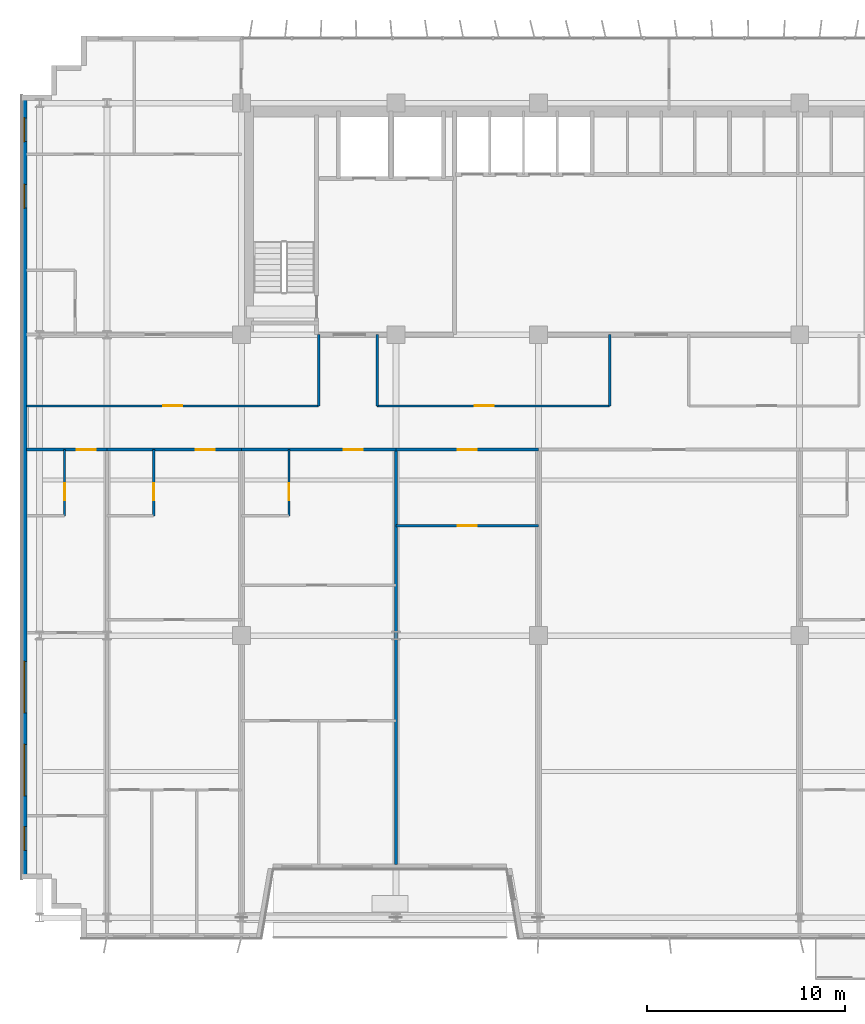
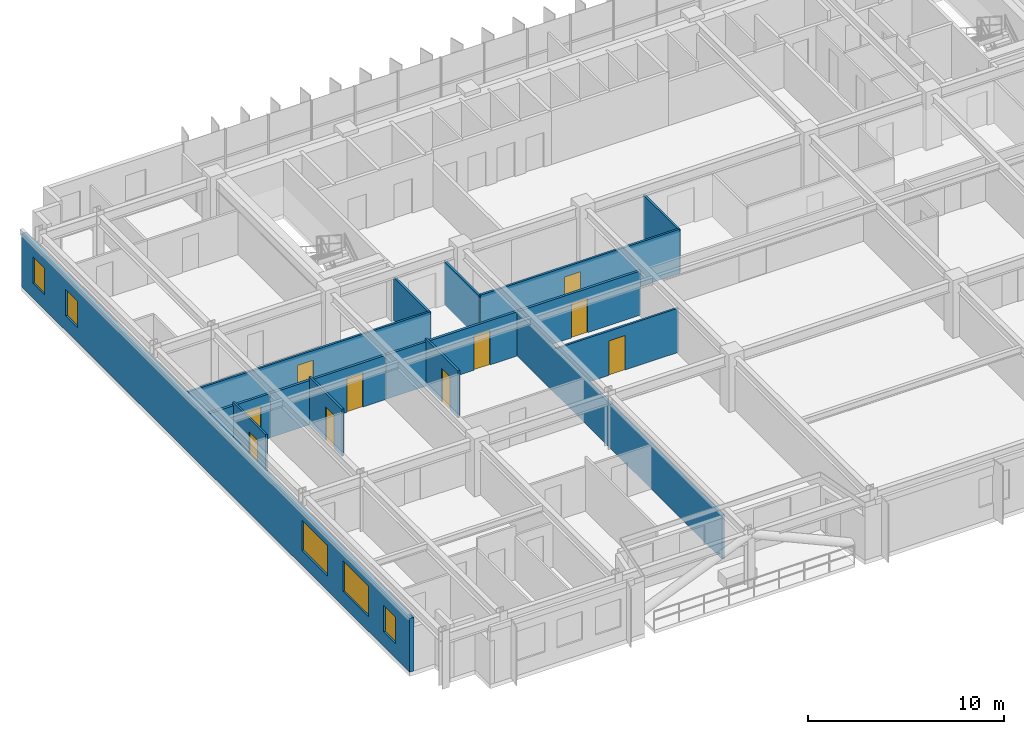
# One storey, part 16 of 23: 15 walls, 10 doors, 5 windows, 15 openings.
"""IFC4 building model written with IfcOpenShell, lengths in metres."""

from ifc_helpers import new_model, si_unit, direction, frame, frame_2d, origin, place, context, subcontext, project, spatial, rectangle, extrude, source, transform, mapped, material, layer, layer_set, type_object, element, fill, save


model = new_model("IFC4")

# Units and contexts
model_context = context("Model", 3, precision=1e-05, world=origin(), true_north=direction((0.0, 1.0)))
body_context = subcontext(model_context, "Body", "Model", "MODEL_VIEW")
ifc_project = project(units=[si_unit("LENGTHUNIT", "METRE"), si_unit("AREAUNIT", "SQUARE_METRE"), si_unit("VOLUMEUNIT", "CUBIC_METRE"), si_unit("PLANEANGLEUNIT", "RADIAN"), si_unit("MASSUNIT", "GRAM", prefix="KILO")], contexts=[model_context])

# Site, building, storey
site_placement = place(None, origin())
site = spatial("IfcSite", under=ifc_project, at=site_placement, CompositionType="ELEMENT")
building_placement = place(site_placement, origin())
building = spatial("IfcBuilding", under=site, at=building_placement, Name="Trelvane Seafront Commons", CompositionType="ELEMENT")
storey_placement = place(building_placement, frame((0.0, 0.0, 63.10009765625)))
storey = spatial("IfcBuildingStorey", under=building, at=storey_placement, Name="L16", CompositionType="ELEMENT", Elevation=63.10009765625)

# Wall, openings, windows
ifc_material_1 = material(Name="Precast concrete C40/50", Category="concrete")
ifc_layer_1 = layer(ifc_material_1, 0.260009765625, Name="ARCH-WALL-EXT260")
ifc_layer_set_1 = layer_set([ifc_layer_1], Name="Precast concrete C40/50")
wall_type_1 = type_object("IfcWallType", Name="ARCH-WALL-EXT260", PredefinedType="SOLIDWALL", material=ifc_layer_set_1)
wall_1_placement = place(storey_placement, frame((4.6298828125, 5.89990234375, 0.0), z_axis=(0.0, 0.0, 1.0), x_axis=(0.0, 1.0, 0.0)))
wall_1 = element("IfcWall", 1, at=wall_1_placement, inside=storey, type_object=wall_type_1, Name="EW-L16-00281", PredefinedType="SOLIDWALL", context=body_context, shape_type="SweptSolid", body=[
    extrude(rectangle(XDim=39.60009765625, YDim=0.260009765625, at=frame_2d((19.800048828125, 0.0))), origin(), (0.0, 0.0, 1.0), 3.33984375),
])
opening_1_placement = place(wall_1_placement, frame((1.449951171875, 0.0, 0.919921875)))
opening_1 = element("IfcOpeningElement", 2, at=opening_1_placement, cuts=wall_1, Name="Opening W05", PredefinedType="OPENING", context=body_context, shape_type="SweptSolid", body=[
    extrude(rectangle(XDim=1.199951171875, YDim=1.64990234375, at=frame_2d((0.60009765625, 0.824951171875))), frame((0.0, 0.139892578125, 0.0), z_axis=(0.0, -1.0, 0.0), x_axis=(1.0, 0.0, 0.0)), (0.0, 0.0, 1.0), 0.280029296875),
])
opening_2_placement = place(wall_1_placement, frame((4.199951171875, 0.0, 0.919921875)))
opening_2 = element("IfcOpeningElement", 3, at=opening_2_placement, cuts=wall_1, Name="Opening W04", PredefinedType="OPENING", context=body_context, shape_type="SweptSolid", body=[
    extrude(rectangle(XDim=2.60009765625, YDim=1.89990234375, at=frame_2d((1.300048828125, 0.949951171875))), frame((0.0, 0.139892578125, 0.0), z_axis=(0.0, -1.0, 0.0), x_axis=(1.0, 0.0, 0.0)), (0.0, 0.0, 1.0), 0.280029296875),
])
opening_3_placement = place(wall_1_placement, frame((8.39990234375, 0.0, 0.919921875)))
opening_3 = element("IfcOpeningElement", 4, at=opening_3_placement, cuts=wall_1, Name="Opening W04", PredefinedType="OPENING", context=body_context, shape_type="SweptSolid", body=[
    extrude(rectangle(XDim=2.60009765625, YDim=1.89990234375, at=frame_2d((1.300048828125, 0.949951171875))), frame((0.0, 0.139892578125, 0.0), z_axis=(0.0, -1.0, 0.0), x_axis=(1.0, 0.0, 0.0)), (0.0, 0.0, 1.0), 0.280029296875),
])
opening_4_placement = place(wall_1_placement, frame((33.89990234375, 0.0, 0.919921875)))
opening_4 = element("IfcOpeningElement", 5, at=opening_4_placement, cuts=wall_1, Name="Opening W05", PredefinedType="OPENING", context=body_context, shape_type="SweptSolid", body=[
    extrude(rectangle(XDim=1.199951171875, YDim=1.64990234375, at=frame_2d((0.60009765625, 0.824951171875))), frame((0.0, 0.139892578125, 0.0), z_axis=(0.0, -1.0, 0.0), x_axis=(1.0, 0.0, 0.0)), (0.0, 0.0, 1.0), 0.280029296875),
])
opening_5_placement = place(wall_1_placement, frame((37.25, 0.0, 0.919921875)))
opening_5 = element("IfcOpeningElement", 6, at=opening_5_placement, cuts=wall_1, Name="Opening W05", PredefinedType="OPENING", context=body_context, shape_type="SweptSolid", body=[
    extrude(rectangle(XDim=1.199951171875, YDim=1.64990234375, at=frame_2d((0.60009765625, 0.824951171875))), frame((0.0, 0.139892578125, 0.0), z_axis=(0.0, -1.0, 0.0), x_axis=(1.0, 0.0, 0.0)), (0.0, 0.0, 1.0), 0.280029296875),
])
ifc_material_2 = material(Name="Low-E coastal double glazing", Category="glass")
window_type_1 = type_object("IfcWindowType", Name="ARCH-WIN-W04", PartitioningType="SINGLE_PANEL", PredefinedType="WINDOW", material=ifc_material_2)
shared_shape_1 = source(origin(), body_context, "Body", "SweptSolid", [
    extrude(rectangle(XDim=2.60009765625, YDim=1.89990234375, at=frame_2d((1.300048828125, 0.949951171875))), frame((0.0, 0.030029296875, 0.0), z_axis=(0.0, -1.0, 0.0), x_axis=(1.0, 0.0, 0.0)), (0.0, 0.0, 1.0), 0.06005859375),
])
window_1_placement = place(opening_2_placement, origin())
window_1 = element("IfcWindow", 7, at=window_1_placement, inside=storey, type_object=window_type_1, Name="WIN-L16-EW-00336", OverallHeight=1.89990234375, OverallWidth=2.60009765625, PartitioningType="SINGLE_PANEL", PredefinedType="WINDOW", context=body_context, shape_type="MappedRepresentation", body=[
    mapped(shared_shape_1, transform((0.0, 0.0, 0.0), x_axis=(1.0, 0.0, 0.0), y_axis=(0.0, 1.0, 0.0), z_axis=(0.0, 0.0, 1.0), scale=1.0)),
])
fill(opening_2, window_1)
window_2_placement = place(opening_3_placement, origin())
window_2 = element("IfcWindow", 8, at=window_2_placement, inside=storey, type_object=window_type_1, Name="WIN-L16-EW-00337", OverallHeight=1.89990234375, OverallWidth=2.60009765625, PartitioningType="SINGLE_PANEL", PredefinedType="WINDOW", context=body_context, shape_type="MappedRepresentation", body=[
    mapped(shared_shape_1, transform((0.0, 0.0, 0.0), x_axis=(1.0, 0.0, 0.0), y_axis=(0.0, 1.0, 0.0), z_axis=(0.0, 0.0, 1.0), scale=1.0)),
])
fill(opening_3, window_2)
window_type_2 = type_object("IfcWindowType", Name="ARCH-WIN-W05", PartitioningType="SINGLE_PANEL", PredefinedType="WINDOW", material=ifc_material_2)
shared_shape_2 = source(origin(), body_context, "Body", "SweptSolid", [
    extrude(rectangle(XDim=1.199951171875, YDim=1.64990234375, at=frame_2d((0.60009765625, 0.824951171875))), frame((0.0, 0.030029296875, 0.0), z_axis=(0.0, -1.0, 0.0), x_axis=(1.0, 0.0, 0.0)), (0.0, 0.0, 1.0), 0.06005859375),
])
window_3_placement = place(opening_1_placement, origin())
window_3 = element("IfcWindow", 9, at=window_3_placement, inside=storey, type_object=window_type_2, Name="WIN-L16-EW-00335", OverallHeight=1.64990234375, OverallWidth=1.199951171875, PartitioningType="SINGLE_PANEL", PredefinedType="WINDOW", context=body_context, shape_type="MappedRepresentation", body=[
    mapped(shared_shape_2, transform((0.0, 0.0, 0.0), x_axis=(1.0, 0.0, 0.0), y_axis=(0.0, 1.0, 0.0), z_axis=(0.0, 0.0, 1.0), scale=1.0)),
])
fill(opening_1, window_3)
window_4_placement = place(opening_4_placement, origin())
window_4 = element("IfcWindow", 10, at=window_4_placement, inside=storey, type_object=window_type_2, Name="WIN-L16-EW-00338", OverallHeight=1.64990234375, OverallWidth=1.199951171875, PartitioningType="SINGLE_PANEL", PredefinedType="WINDOW", context=body_context, shape_type="MappedRepresentation", body=[
    mapped(shared_shape_2, transform((0.0, 0.0, 0.0), x_axis=(1.0, 0.0, 0.0), y_axis=(0.0, 1.0, 0.0), z_axis=(0.0, 0.0, 1.0), scale=1.0)),
])
fill(opening_4, window_4)
window_5_placement = place(opening_5_placement, origin())
window_5 = element("IfcWindow", 11, at=window_5_placement, inside=storey, type_object=window_type_2, Name="WIN-L16-EW-00339", OverallHeight=1.64990234375, OverallWidth=1.199951171875, PartitioningType="SINGLE_PANEL", PredefinedType="WINDOW", context=body_context, shape_type="MappedRepresentation", body=[
    mapped(shared_shape_2, transform((0.0, 0.0, 0.0), x_axis=(1.0, 0.0, 0.0), y_axis=(0.0, 1.0, 0.0), z_axis=(0.0, 0.0, 1.0), scale=1.0)),
])
fill(opening_5, window_5)

# Wall, opening, door
ifc_material_3 = material(Name="Gypsum Drywall Acoustic Partition")
ifc_layer_2 = layer(ifc_material_3, 0.1201171875, Name="ARCH-WALL-PART120")
ifc_layer_set_2 = layer_set([ifc_layer_2], Name="Gypsum Drywall Acoustic Partition")
wall_type_2 = type_object("IfcWallType", Name="ARCH-WALL-PART120", PredefinedType="PARTITIONING", material=ifc_layer_set_2)
wall_2_placement = place(storey_placement, frame((4.75, 29.800048828125, 0.0), z_axis=(0.0, 0.0, 1.0), x_axis=(1.0, 0.0, 0.0)))
wall_2 = element("IfcWall", 12, at=wall_2_placement, inside=storey, type_object=wall_type_2, Name="W-L16-CORR-N-W-039", PredefinedType="PARTITIONING", context=body_context, shape_type="SweptSolid", body=[
    extrude(rectangle(XDim=14.75, YDim=0.1201171875, at=frame_2d((7.375, 0.0))), origin(), (0.0, 0.0, 1.0), 2.751953125),
])
opening_6_placement = place(wall_2_placement, frame((6.89990234375, 0.0, 0.0)))
opening_6 = element("IfcOpeningElement", 13, at=opening_6_placement, cuts=wall_2, Name="Opening D-L16-19", PredefinedType="OPENING", context=body_context, shape_type="SweptSolid", body=[
    extrude(rectangle(XDim=0.949951171875, YDim=2.14990234375, at=frame_2d((0.47509765625, 1.074951171875))), frame((0.0, 0.070068359375, 0.0), z_axis=(0.0, -1.0, 0.0), x_axis=(1.0, 0.0, 0.0)), (0.0, 0.0, 1.0), 0.14013671875),
])
ifc_material_4 = material(Name="Acoustic timber door leaf", Category="wood")
door_type_1 = type_object("IfcDoorType", Name="ARCH-DR-INT950", OperationType="NOTDEFINED", PredefinedType="DOOR", material=ifc_material_4)
shared_shape_3 = source(origin(), body_context, "Body", "SweptSolid", [
    extrude(rectangle(XDim=0.949951171875, YDim=2.14990234375, at=frame_2d((0.47509765625, 1.074951171875))), frame((0.0, 0.02490234375, 0.0), z_axis=(0.0, -1.0, 0.0), x_axis=(1.0, 0.0, 0.0)), (0.0, 0.0, 1.0), 0.050048828125),
])
door_1_placement = place(opening_6_placement, origin())
door_1 = element("IfcDoor", 14, at=door_1_placement, inside=storey, type_object=door_type_1, Name="L16 Door 19", OperationType="SINGLE_SWING_LEFT", OverallHeight=2.14990234375, OverallWidth=0.949951171875, PredefinedType="DOOR", context=body_context, shape_type="MappedRepresentation", body=[
    mapped(shared_shape_3, transform((0.0, 0.0, 0.0), x_axis=(1.0, 0.0, 0.0), y_axis=(0.0, 1.0, 0.0), z_axis=(0.0, 0.0, 1.0), scale=1.0)),
])
fill(opening_6, door_1)

wall_3_placement = place(storey_placement, frame((22.449951171875, 29.800048828125, 0.0), z_axis=(0.0, 0.0, 1.0), x_axis=(1.0, 0.0, 0.0)))
wall_3 = element("IfcWall", 15, at=wall_3_placement, inside=storey, type_object=wall_type_2, Name="W-L16-CORR-N-M1-040", PredefinedType="PARTITIONING", context=body_context, shape_type="SweptSolid", body=[
    extrude(rectangle(XDim=11.75, YDim=0.1201171875, at=frame_2d((5.875, 0.0))), origin(), (0.0, 0.0, 1.0), 2.751953125),
])
opening_7_placement = place(wall_3_placement, frame((4.944091796875, 0.0, 0.0)))
opening_7 = element("IfcOpeningElement", 16, at=opening_7_placement, cuts=wall_3, Name="Opening D-L16-20", PredefinedType="OPENING", context=body_context, shape_type="SweptSolid", body=[
    extrude(rectangle(XDim=0.949951171875, YDim=2.14990234375, at=frame_2d((0.47509765625, 1.074951171875))), frame((0.0, 0.070068359375, 0.0), z_axis=(0.0, -1.0, 0.0), x_axis=(1.0, 0.0, 0.0)), (0.0, 0.0, 1.0), 0.14013671875),
])
door_2_placement = place(opening_7_placement, origin())
door_2 = element("IfcDoor", 17, at=door_2_placement, inside=storey, type_object=door_type_1, Name="L16 Door 20", OperationType="SINGLE_SWING_RIGHT", OverallHeight=2.14990234375, OverallWidth=0.949951171875, PredefinedType="DOOR", context=body_context, shape_type="MappedRepresentation", body=[
    mapped(shared_shape_3, transform((0.0, 0.0, 0.0), x_axis=(1.0, 0.0, 0.0), y_axis=(0.0, 1.0, 0.0), z_axis=(0.0, 0.0, 1.0), scale=1.0)),
])
fill(opening_7, door_2)

# Walls
for number, where, z_axis, x_axis, name in (
    (18, (19.5, 29.800048828125, 0.0), (0.0, 0.0, 1.0), (0.0, 1.0, 0.0), "W-L16-N-SPUR-W1-044"),
    (19, (22.449951171875, 29.800048828125, 0.0), (0.0, 0.0, 1.0), (0.0, 1.0, 0.0), "W-L16-N-SPUR-W2-045"),
    (20, (34.199951171875, 29.800048828125, 0.0), (0.0, 0.0, 1.0), (0.0, 1.0, 0.0), "W-L16-N-SPUR-M1-046"),
):
    element("IfcWall", number, at=place(storey_placement, frame(where, z_axis=z_axis, x_axis=x_axis)), inside=storey, type_object=wall_type_2, Name=name, PredefinedType="PARTITIONING", context=body_context, shape_type="SweptSolid", body=[
        extrude(rectangle(XDim=3.599853515625, YDim=0.1201171875, at=frame_2d((1.7998046875, 0.0))), origin(), (0.0, 0.0, 1.0), 2.68994140625),
    ])

# Wall, opening, door
wall_4_placement = place(storey_placement, frame((6.659912109375, 24.25, 0.0), z_axis=(0.0, 0.0, 1.0), x_axis=(0.0, 1.0, 0.0)))
wall_4 = element("IfcWall", 21, at=wall_4_placement, inside=storey, type_object=wall_type_2, Name="W-L16-U1-BE-069", PredefinedType="PARTITIONING", context=body_context, shape_type="SweptSolid", body=[
    extrude(rectangle(XDim=3.35009765625, YDim=0.1201171875, at=frame_2d((1.675048828125, 0.0))), origin(), (0.0, 0.0, 1.0), 2.93994140625),
])
opening_8_placement = place(wall_4_placement, frame((0.800048828125, 0.0, 0.0)))
opening_8 = element("IfcOpeningElement", 22, at=opening_8_placement, cuts=wall_4, Name="Opening D-L16-34", PredefinedType="OPENING", context=body_context, shape_type="SweptSolid", body=[
    extrude(rectangle(XDim=0.85009765625, YDim=2.10009765625, at=frame_2d((0.425048828125, 1.050048828125))), frame((0.0, 0.070068359375, 0.0), z_axis=(0.0, -1.0, 0.0), x_axis=(1.0, 0.0, 0.0)), (0.0, 0.0, 1.0), 0.14013671875),
])
door_type_2 = type_object("IfcDoorType", Name="ARCH-DR-INT850", OperationType="NOTDEFINED", PredefinedType="DOOR", material=ifc_material_4)
shared_shape_4 = source(origin(), body_context, "Body", "SweptSolid", [
    extrude(rectangle(XDim=0.85009765625, YDim=2.10009765625, at=frame_2d((0.425048828125, 1.050048828125))), frame((0.0, 0.02490234375, 0.0), z_axis=(0.0, -1.0, 0.0), x_axis=(1.0, 0.0, 0.0)), (0.0, 0.0, 1.0), 0.050048828125),
])
door_3_placement = place(opening_8_placement, origin())
door_3 = element("IfcDoor", 23, at=door_3_placement, inside=storey, type_object=door_type_2, Name="L16 Door 34", OperationType="SINGLE_SWING_RIGHT", OverallHeight=2.10009765625, OverallWidth=0.85009765625, PredefinedType="DOOR", context=body_context, shape_type="MappedRepresentation", body=[
    mapped(shared_shape_4, transform((0.0, 0.0, 0.0), x_axis=(1.0, 0.0, 0.0), y_axis=(0.0, 1.0, 0.0), z_axis=(0.0, 0.0, 1.0), scale=1.0)),
])
fill(opening_8, door_3)

wall_5_placement = place(storey_placement, frame((11.162109375, 24.25, 0.0), z_axis=(0.0, 0.0, 1.0), x_axis=(0.0, 1.0, 0.0)))
wall_5 = element("IfcWall", 24, at=wall_5_placement, inside=storey, type_object=wall_type_2, Name="W-L16-U2-BE-074", PredefinedType="PARTITIONING", context=body_context, shape_type="SweptSolid", body=[
    extrude(rectangle(XDim=3.35009765625, YDim=0.1201171875, at=frame_2d((1.675048828125, 0.0))), origin(), (0.0, 0.0, 1.0), 2.93994140625),
])
opening_9_placement = place(wall_5_placement, frame((0.800048828125, 0.0, 0.0)))
opening_9 = element("IfcOpeningElement", 25, at=opening_9_placement, cuts=wall_5, Name="Opening D-L16-38", PredefinedType="OPENING", context=body_context, shape_type="SweptSolid", body=[
    extrude(rectangle(XDim=0.85009765625, YDim=2.10009765625, at=frame_2d((0.425048828125, 1.050048828125))), frame((0.0, 0.070068359375, 0.0), z_axis=(0.0, -1.0, 0.0), x_axis=(1.0, 0.0, 0.0)), (0.0, 0.0, 1.0), 0.14013671875),
])
door_4_placement = place(opening_9_placement, origin())
door_4 = element("IfcDoor", 26, at=door_4_placement, inside=storey, type_object=door_type_2, Name="L16 Door 38", OperationType="SINGLE_SWING_RIGHT", OverallHeight=2.10009765625, OverallWidth=0.85009765625, PredefinedType="DOOR", context=body_context, shape_type="MappedRepresentation", body=[
    mapped(shared_shape_4, transform((0.0, 0.0, 0.0), x_axis=(1.0, 0.0, 0.0), y_axis=(0.0, 1.0, 0.0), z_axis=(0.0, 0.0, 1.0), scale=1.0)),
])
fill(opening_9, door_4)

wall_6_placement = place(storey_placement, frame((18.0, 24.25, 0.0), z_axis=(0.0, 0.0, 1.0), x_axis=(0.0, 1.0, 0.0)))
wall_6 = element("IfcWall", 27, at=wall_6_placement, inside=storey, type_object=wall_type_2, Name="W-L16-U3-BE-083", PredefinedType="PARTITIONING", context=body_context, shape_type="SweptSolid", body=[
    extrude(rectangle(XDim=3.35009765625, YDim=0.1201171875, at=frame_2d((1.675048828125, 0.0))), origin(), (0.0, 0.0, 1.0), 2.93994140625),
])
opening_10_placement = place(wall_6_placement, frame((0.800048828125, 0.0, 0.0)))
opening_10 = element("IfcOpeningElement", 28, at=opening_10_placement, cuts=wall_6, Name="Opening D-L16-44", PredefinedType="OPENING", context=body_context, shape_type="SweptSolid", body=[
    extrude(rectangle(XDim=0.85009765625, YDim=2.10009765625, at=frame_2d((0.425048828125, 1.050048828125))), frame((0.0, 0.070068359375, 0.0), z_axis=(0.0, -1.0, 0.0), x_axis=(1.0, 0.0, 0.0)), (0.0, 0.0, 1.0), 0.14013671875),
])
door_5_placement = place(opening_10_placement, origin())
door_5 = element("IfcDoor", 29, at=door_5_placement, inside=storey, type_object=door_type_2, Name="L16 Door 44", OperationType="SINGLE_SWING_RIGHT", OverallHeight=2.10009765625, OverallWidth=0.85009765625, PredefinedType="DOOR", context=body_context, shape_type="MappedRepresentation", body=[
    mapped(shared_shape_4, transform((0.0, 0.0, 0.0), x_axis=(1.0, 0.0, 0.0), y_axis=(0.0, 1.0, 0.0), z_axis=(0.0, 0.0, 1.0), scale=1.0)),
])
fill(opening_10, door_5)

wall_7_placement = place(storey_placement, frame((23.39990234375, 23.75, 0.0), z_axis=(0.0, 0.0, 1.0), x_axis=(1.0, 0.0, 0.0)))
wall_7 = element("IfcWall", 30, at=wall_7_placement, inside=storey, type_object=wall_type_2, Name="W-L16-U4-DIV-090", PredefinedType="PARTITIONING", context=body_context, shape_type="SweptSolid", body=[
    extrude(rectangle(XDim=7.2001953125, YDim=0.1201171875, at=frame_2d((3.60009765625, 0.0))), origin(), (0.0, 0.0, 1.0), 2.751953125),
])
opening_11_placement = place(wall_7_placement, frame((3.125, 0.0, 0.0)))
opening_11 = element("IfcOpeningElement", 31, at=opening_11_placement, cuts=wall_7, Name="Opening D-L16-49", PredefinedType="OPENING", context=body_context, shape_type="SweptSolid", body=[
    extrude(rectangle(XDim=0.949951171875, YDim=2.14990234375, at=frame_2d((0.47509765625, 1.074951171875))), frame((0.0, 0.070068359375, 0.0), z_axis=(0.0, -1.0, 0.0), x_axis=(1.0, 0.0, 0.0)), (0.0, 0.0, 1.0), 0.14013671875),
])
door_6_placement = place(opening_11_placement, origin())
door_6 = element("IfcDoor", 32, at=door_6_placement, inside=storey, type_object=door_type_1, Name="L16 Door 49", OperationType="SINGLE_SWING_LEFT", OverallHeight=2.14990234375, OverallWidth=0.949951171875, PredefinedType="DOOR", context=body_context, shape_type="MappedRepresentation", body=[
    mapped(shared_shape_3, transform((0.0, 0.0, 0.0), x_axis=(1.0, 0.0, 0.0), y_axis=(0.0, 1.0, 0.0), z_axis=(0.0, 0.0, 1.0), scale=1.0)),
])
fill(opening_11, door_6)

# Wall
ifc_layer_3 = layer(ifc_material_3, 0.14990234375, Name="ARCH-WALL-PART150")
ifc_layer_set_3 = layer_set([ifc_layer_3], Name="Gypsum Drywall Acoustic Partition")
wall_type_3 = type_object("IfcWallType", Name="ARCH-WALL-PART150", PredefinedType="PARTITIONING", material=ifc_layer_set_3)
wall_8_placement = place(storey_placement, frame((23.39990234375, 6.64501953125, 0.0), z_axis=(0.0, 0.0, 1.0), x_axis=(0.0, 1.0, 0.0)))
element("IfcWall", 33, at=wall_8_placement, inside=storey, type_object=wall_type_3, Name="W-L16-PW-3-063", PredefinedType="PARTITIONING", context=body_context, shape_type="SweptSolid", body=[
    extrude(rectangle(XDim=20.955078125, YDim=0.14990234375, at=frame_2d((10.4775390625, 0.0))), origin(), (0.0, 0.0, 1.0), 2.751953125),
])

# Wall, opening, door
wall_9_placement = place(storey_placement, frame((4.7451171875, 27.60009765625, 0.0), z_axis=(0.0, 0.0, 1.0), x_axis=(1.0, 0.0, 0.0)))
wall_9 = element("IfcWall", 34, at=wall_9_placement, inside=storey, type_object=wall_type_3, Name="W-L16-CS-BAY-1-071", PredefinedType="PARTITIONING", context=body_context, shape_type="SweptSolid", body=[
    extrude(rectangle(XDim=4.054931640625, YDim=0.14990234375, at=frame_2d((2.02734375, 0.0))), origin(), (0.0, 0.0, 1.0), 2.751953125),
])
opening_12_placement = place(wall_9_placement, frame((2.5439453125, 0.0, 0.0)))
opening_12 = element("IfcOpeningElement", 35, at=opening_12_placement, cuts=wall_9, Name="Opening FD-L16-35", PredefinedType="OPENING", context=body_context, shape_type="SweptSolid", body=[
    extrude(rectangle(XDim=0.949951171875, YDim=2.14990234375, at=frame_2d((0.47509765625, 1.074951171875))), frame((0.0, 0.0849609375, 0.0), z_axis=(0.0, -1.0, 0.0), x_axis=(1.0, 0.0, 0.0)), (0.0, 0.0, 1.0), 0.169921875),
])
ifc_material_5 = material(Name="Powder-coated aluminium frame", Category="aluminium")
door_type_3 = type_object("IfcDoorType", Name="ARCH-DR-FD60-950", OperationType="NOTDEFINED", PredefinedType="DOOR", material=ifc_material_5)
door_7_placement = place(opening_12_placement, origin())
door_7 = element("IfcDoor", 36, at=door_7_placement, inside=storey, type_object=door_type_3, Name="L16 Unit 01 Entrance Door", OperationType="SINGLE_SWING_LEFT", OverallHeight=2.14990234375, OverallWidth=0.949951171875, PredefinedType="DOOR", context=body_context, shape_type="MappedRepresentation", body=[
    mapped(shared_shape_3, transform((0.0, 0.0, 0.0), x_axis=(1.0, 0.0, 0.0), y_axis=(0.0, 1.0, 0.0), z_axis=(0.0, 0.0, 1.0), scale=1.0)),
])
fill(opening_12, door_7)

wall_10_placement = place(storey_placement, frame((8.800048828125, 27.60009765625, 0.0), z_axis=(0.0, 0.0, 1.0), x_axis=(1.0, 0.0, 0.0)))
wall_10 = element("IfcWall", 37, at=wall_10_placement, inside=storey, type_object=wall_type_3, Name="W-L16-CS-BAY-2-076", PredefinedType="PARTITIONING", context=body_context, shape_type="SweptSolid", body=[
    extrude(rectangle(XDim=6.800048828125, YDim=0.14990234375, at=frame_2d((3.39990234375, 0.0))), origin(), (0.0, 0.0, 1.0), 2.751953125),
])
opening_13_placement = place(wall_10_placement, frame((4.489990234375, 0.0, 0.0)))
opening_13 = element("IfcOpeningElement", 38, at=opening_13_placement, cuts=wall_10, Name="Opening FD-L16-39", PredefinedType="OPENING", context=body_context, shape_type="SweptSolid", body=[
    extrude(rectangle(XDim=0.949951171875, YDim=2.14990234375, at=frame_2d((0.47509765625, 1.074951171875))), frame((0.0, 0.0849609375, 0.0), z_axis=(0.0, -1.0, 0.0), x_axis=(1.0, 0.0, 0.0)), (0.0, 0.0, 1.0), 0.169921875),
])
door_8_placement = place(opening_13_placement, origin())
door_8 = element("IfcDoor", 39, at=door_8_placement, inside=storey, type_object=door_type_3, Name="L16 Unit 02 Entrance Door", OperationType="SINGLE_SWING_LEFT", OverallHeight=2.14990234375, OverallWidth=0.949951171875, PredefinedType="DOOR", context=body_context, shape_type="MappedRepresentation", body=[
    mapped(shared_shape_3, transform((0.0, 0.0, 0.0), x_axis=(1.0, 0.0, 0.0), y_axis=(0.0, 1.0, 0.0), z_axis=(0.0, 0.0, 1.0), scale=1.0)),
])
fill(opening_13, door_8)

wall_11_placement = place(storey_placement, frame((15.60009765625, 27.60009765625, 0.0), z_axis=(0.0, 0.0, 1.0), x_axis=(1.0, 0.0, 0.0)))
wall_11 = element("IfcWall", 40, at=wall_11_placement, inside=storey, type_object=wall_type_3, Name="W-L16-CS-BAY-3-085", PredefinedType="PARTITIONING", context=body_context, shape_type="SweptSolid", body=[
    extrude(rectangle(XDim=7.7998046875, YDim=0.14990234375, at=frame_2d((3.89990234375, 0.0))), origin(), (0.0, 0.0, 1.0), 2.751953125),
])
opening_14_placement = place(wall_11_placement, frame((5.172119140625, 0.0, 0.0)))
opening_14 = element("IfcOpeningElement", 41, at=opening_14_placement, cuts=wall_11, Name="Opening FD-L16-45", PredefinedType="OPENING", context=body_context, shape_type="SweptSolid", body=[
    extrude(rectangle(XDim=0.949951171875, YDim=2.14990234375, at=frame_2d((0.47509765625, 1.074951171875))), frame((0.0, 0.0849609375, 0.0), z_axis=(0.0, -1.0, 0.0), x_axis=(1.0, 0.0, 0.0)), (0.0, 0.0, 1.0), 0.169921875),
])
door_9_placement = place(opening_14_placement, origin())
door_9 = element("IfcDoor", 42, at=door_9_placement, inside=storey, type_object=door_type_3, Name="L16 Unit 03 Entrance Door", OperationType="SINGLE_SWING_LEFT", OverallHeight=2.14990234375, OverallWidth=0.949951171875, PredefinedType="DOOR", context=body_context, shape_type="MappedRepresentation", body=[
    mapped(shared_shape_3, transform((0.0, 0.0, 0.0), x_axis=(1.0, 0.0, 0.0), y_axis=(0.0, 1.0, 0.0), z_axis=(0.0, 0.0, 1.0), scale=1.0)),
])
fill(opening_14, door_9)

wall_12_placement = place(storey_placement, frame((23.39990234375, 27.60009765625, 0.0), z_axis=(0.0, 0.0, 1.0), x_axis=(1.0, 0.0, 0.0)))
wall_12 = element("IfcWall", 43, at=wall_12_placement, inside=storey, type_object=wall_type_3, Name="W-L16-CS-BAY-4-089", PredefinedType="PARTITIONING", context=body_context, shape_type="SweptSolid", body=[
    extrude(rectangle(XDim=7.2001953125, YDim=0.14990234375, at=frame_2d((3.60009765625, 0.0))), origin(), (0.0, 0.0, 1.0), 2.751953125),
])
opening_15_placement = place(wall_12_placement, frame((3.125, 0.0, 0.0)))
opening_15 = element("IfcOpeningElement", 44, at=opening_15_placement, cuts=wall_12, Name="Opening FD-L16-48", PredefinedType="OPENING", context=body_context, shape_type="SweptSolid", body=[
    extrude(rectangle(XDim=0.949951171875, YDim=2.14990234375, at=frame_2d((0.47509765625, 1.074951171875))), frame((0.0, 0.0849609375, 0.0), z_axis=(0.0, -1.0, 0.0), x_axis=(1.0, 0.0, 0.0)), (0.0, 0.0, 1.0), 0.169921875),
])
door_10_placement = place(opening_15_placement, origin())
door_10 = element("IfcDoor", 45, at=door_10_placement, inside=storey, type_object=door_type_3, Name="L16 Bay 04 Entrance Door", OperationType="SINGLE_SWING_RIGHT", OverallHeight=2.14990234375, OverallWidth=0.949951171875, PredefinedType="DOOR", context=body_context, shape_type="MappedRepresentation", body=[
    mapped(shared_shape_3, transform((0.0, 0.0, 0.0), x_axis=(1.0, 0.0, 0.0), y_axis=(0.0, 1.0, 0.0), z_axis=(0.0, 0.0, 1.0), scale=1.0)),
])
fill(opening_15, door_10)

save(model, "model.ifc")
